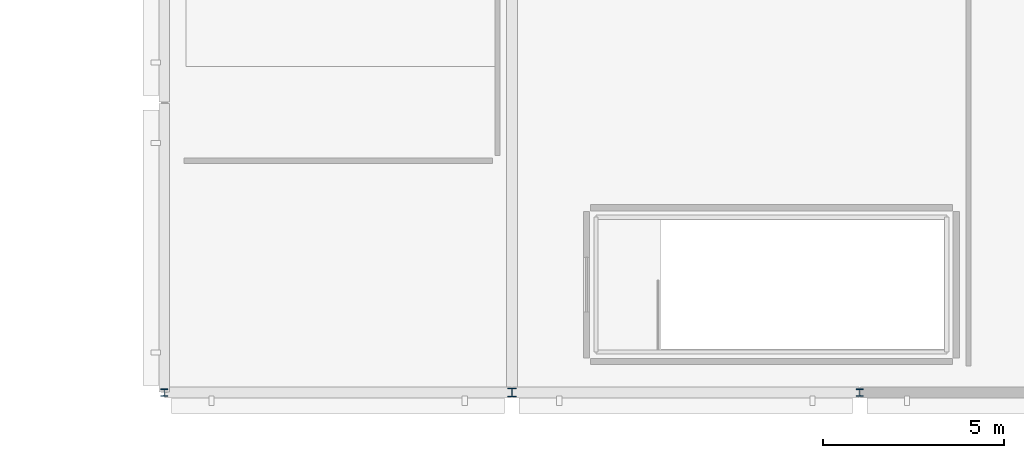
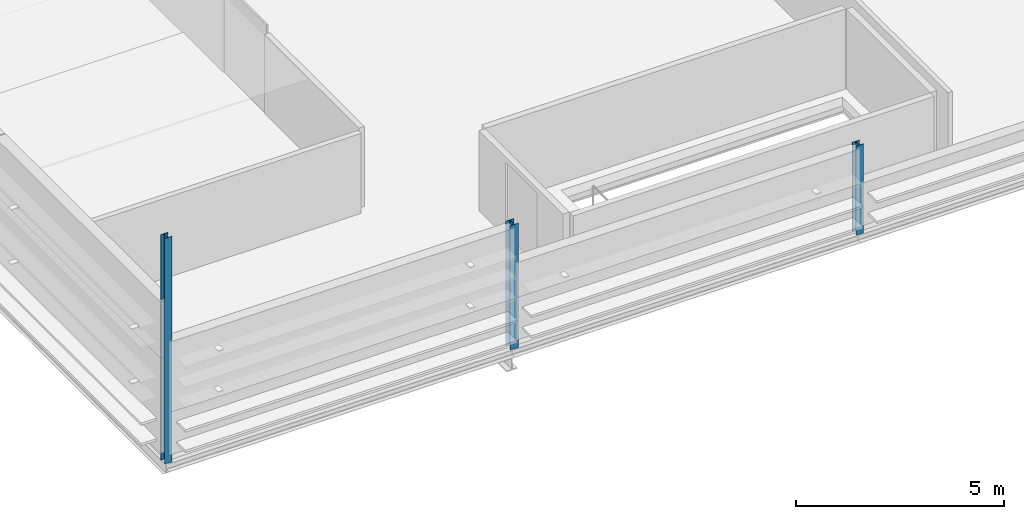
# One storey, part 1 of 34: 3 columns.
"""IFC4 building model written with IfcOpenShell, lengths in metres."""

from ifc_helpers import new_model, si_unit, direction, frame, origin, origin_2d, place, context, subcontext, project, spatial, i_section, extrude, material, material_profile, profile_set, type_object, element, save


model = new_model("IFC4")

# Units and contexts
model_context = context("Model", 3, precision=1e-05, world=origin(), true_north=direction((0.0, 1.0)))
body_context = subcontext(model_context, "Body", "Model", "MODEL_VIEW")
ifc_project = project(units=[si_unit("LENGTHUNIT", "METRE"), si_unit("AREAUNIT", "SQUARE_METRE"), si_unit("VOLUMEUNIT", "CUBIC_METRE"), si_unit("PLANEANGLEUNIT", "RADIAN"), si_unit("MASSUNIT", "GRAM", prefix="KILO")], contexts=[model_context])

# Site, building, storey
site_placement = place(None, origin())
site = spatial("IfcSite", under=ifc_project, at=site_placement, CompositionType="ELEMENT")
building_placement = place(site_placement, origin())
building = spatial("IfcBuilding", under=site, at=building_placement, Name="Alderhovde Museum", CompositionType="ELEMENT")
storey_placement = place(building_placement, frame((0.0, 0.0, 25.800048828125)))
storey = spatial("IfcBuildingStorey", under=building, at=storey_placement, Name="L05", CompositionType="ELEMENT", Elevation=25.800048828125)

# Columns
ifc_material_1 = material(Name="Steel S355J2", Category="steel")
ifc_material_profile_1 = material_profile(ifc_material_1, i_section(OverallWidth=0.239990234375, OverallDepth=0.22998046875, WebThickness=0.007568359375, FlangeThickness=0.011962890625, FilletRadius=0.02099609375, at=origin_2d()), Name="HEA 240")
ifc_profile_set_1 = profile_set([ifc_material_profile_1], Name="Steel S355J2")
column_type_1 = type_object("IfcColumnType", Name="COL-HEA240", PredefinedType="COLUMN", material=ifc_profile_set_1)
column_1_placement = place(storey_placement, frame((19.199951171875, 48.0, -0.260009765625), z_axis=(0.0, 0.0, 1.0), x_axis=(1.0, 0.0, 0.0)))
element("IfcColumn", 1, at=column_1_placement, inside=storey, type_object=column_type_1, Name="L05 Column (19.2, 48.0)", PredefinedType="COLUMN", context=body_context, shape_type="SweptSolid", body=[
    extrude(i_section(OverallWidth=0.239990234375, OverallDepth=0.22998046875, WebThickness=0.007568359375, FlangeThickness=0.011962890625, FilletRadius=0.02099609375, at=origin_2d()), origin(), (0.0, 0.0, 1.0), 3.64990234375),
])
ifc_material_2 = material(Name="Steel S355J2", Category="steel")
ifc_material_profile_2 = material_profile(ifc_material_2, i_section(OverallWidth=0.199951171875, OverallDepth=0.199951171875, WebThickness=0.009033203125, FlangeThickness=0.014892578125, FilletRadius=0.01806640625, at=origin_2d()), Name="HEB 200")
ifc_profile_set_2 = profile_set([ifc_material_profile_2], Name="Steel S355J2")
column_type_2 = type_object("IfcColumnType", Name="COL-HEB200", PredefinedType="COLUMN", material=ifc_profile_set_2)
column_2_placement = place(storey_placement, frame((9.60009765625, 48.0, -0.260009765625), z_axis=(0.0, 0.0, 1.0), x_axis=(1.0, 0.0, 0.0)))
element("IfcColumn", 2, at=column_2_placement, inside=storey, type_object=column_type_2, Name="L05 Column (9.6, 48.0)", PredefinedType="COLUMN", context=body_context, shape_type="SweptSolid", body=[
    extrude(i_section(OverallWidth=0.199951171875, OverallDepth=0.199951171875, WebThickness=0.009033203125, FlangeThickness=0.014892578125, FilletRadius=0.01806640625, at=origin_2d()), origin(), (0.0, 0.0, 1.0), 6.619873046875),
])
column_3_placement = place(storey_placement, frame((28.800048828125, 48.0, -0.260009765625), z_axis=(0.0, 0.0, 1.0), x_axis=(1.0, 0.0, 0.0)))
element("IfcColumn", 3, at=column_3_placement, inside=storey, type_object=column_type_2, Name="L05 Column (28.8, 48.0)", PredefinedType="COLUMN", context=body_context, shape_type="SweptSolid", body=[
    extrude(i_section(OverallWidth=0.199951171875, OverallDepth=0.199951171875, WebThickness=0.009033203125, FlangeThickness=0.014892578125, FilletRadius=0.01806640625, at=origin_2d()), origin(), (0.0, 0.0, 1.0), 2.611572265625),
])

save(model, "model.ifc")
